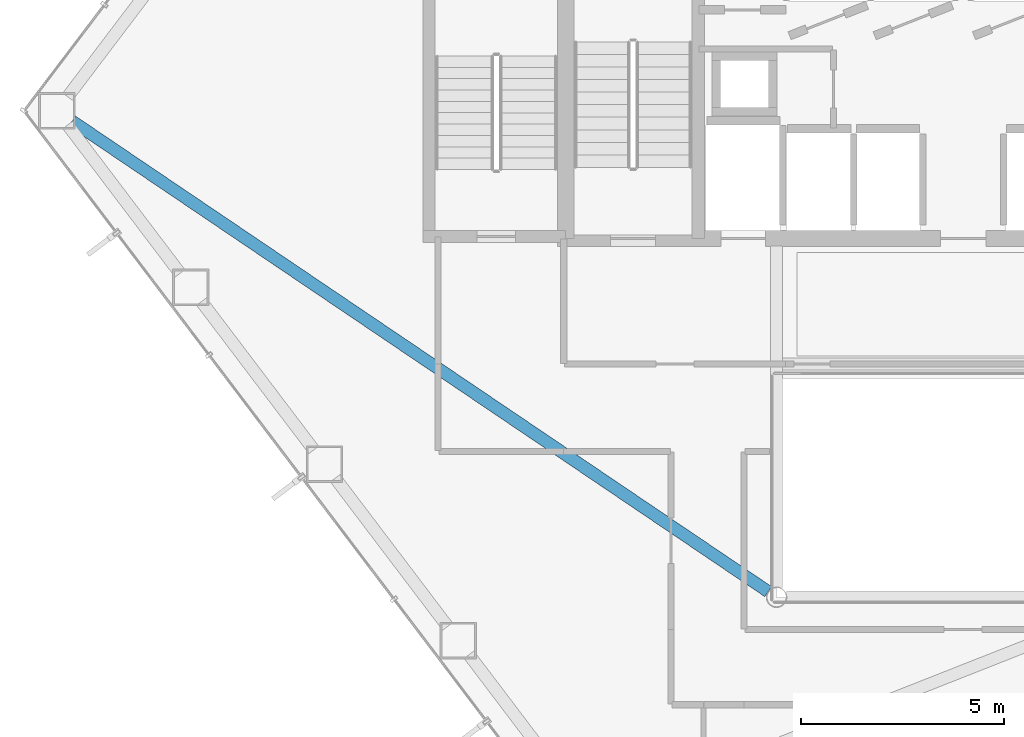
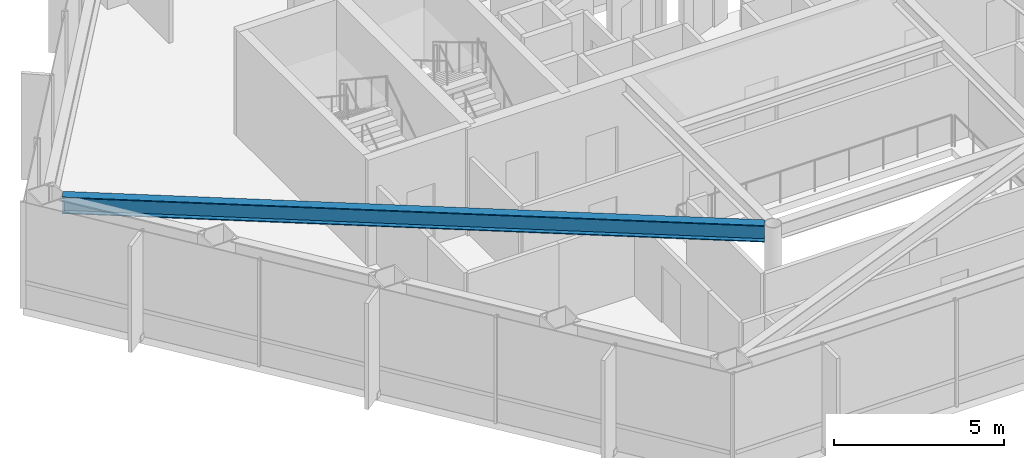
# One storey, part 5 of 24: 1 beam.
"""IFC4 building model written with IfcOpenShell, lengths in metres."""

from ifc_helpers import new_model, si_unit, direction, frame, origin, origin_2d, place, context, subcontext, project, spatial, i_section, extrude, material, material_profile, profile_set, type_object, element, save


model = new_model("IFC4")

# Units and contexts
model_context = context("Model", 3, precision=1e-05, world=origin(), true_north=direction((0.0, 1.0)))
body_context = subcontext(model_context, "Body", "Model", "MODEL_VIEW")
ifc_project = project(units=[si_unit("LENGTHUNIT", "METRE"), si_unit("AREAUNIT", "SQUARE_METRE"), si_unit("VOLUMEUNIT", "CUBIC_METRE"), si_unit("PLANEANGLEUNIT", "RADIAN"), si_unit("MASSUNIT", "GRAM", prefix="KILO")], contexts=[model_context])

# Site, building, storey
site_placement = place(None, origin())
site = spatial("IfcSite", under=ifc_project, at=site_placement, CompositionType="ELEMENT")
building_placement = place(site_placement, origin())
building = spatial("IfcBuilding", under=site, at=building_placement, Name="Zarrinselat Tower", CompositionType="ELEMENT")
storey_placement = place(building_placement, frame((0.0, 0.0, 100.97998046875)))
storey = spatial("IfcBuildingStorey", under=building, at=storey_placement, Name="L24", CompositionType="ELEMENT", Elevation=100.97998046875)

# Beam
ifc_material = material(Name="Steel S355J2", Category="steel")
ifc_material_profile = material_profile(ifc_material, i_section(OverallWidth=0.300048828125, OverallDepth=0.60009765625, WebThickness=0.015380859375, FlangeThickness=0.030029296875, at=origin_2d()), Name="HEB 600")
ifc_profile_set = profile_set([ifc_material_profile], Name="Steel S355J2")
beam_type = type_object("IfcBeamType", Name="BM-HEB600", PredefinedType="BEAM", material=ifc_profile_set)
beam_placement = place(storey_placement, frame((16.426513671875, 36.142822265625, 3.52001953125), z_axis=(0.828504014606, -0.559983122766, 0.0), x_axis=(0.559983122766, 0.828504014606, 0.0)))
element("IfcBeam", 1, at=beam_placement, inside=storey, type_object=beam_type, Name="L24 Radial Primary Girder RG06", PredefinedType="BEAM", context=body_context, shape_type="SweptSolid", body=[
    extrude(i_section(OverallWidth=0.300048828125, OverallDepth=0.60009765625, WebThickness=0.015380859375, FlangeThickness=0.030029296875, at=origin_2d()), origin(), (0.0, 0.0, 1.0), 20.719970703125),
])

save(model, "model.ifc")
